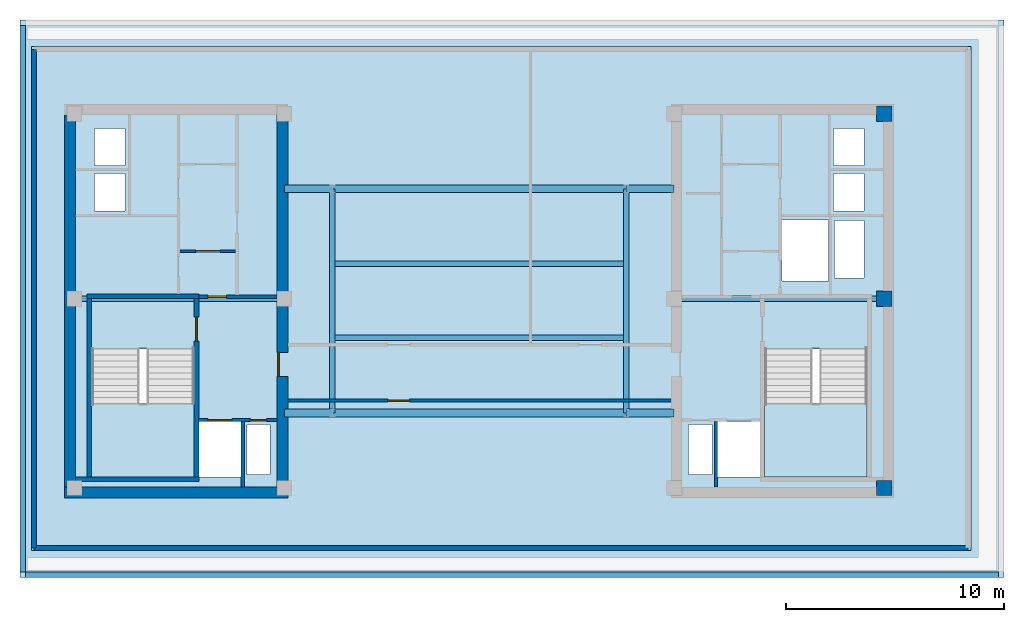
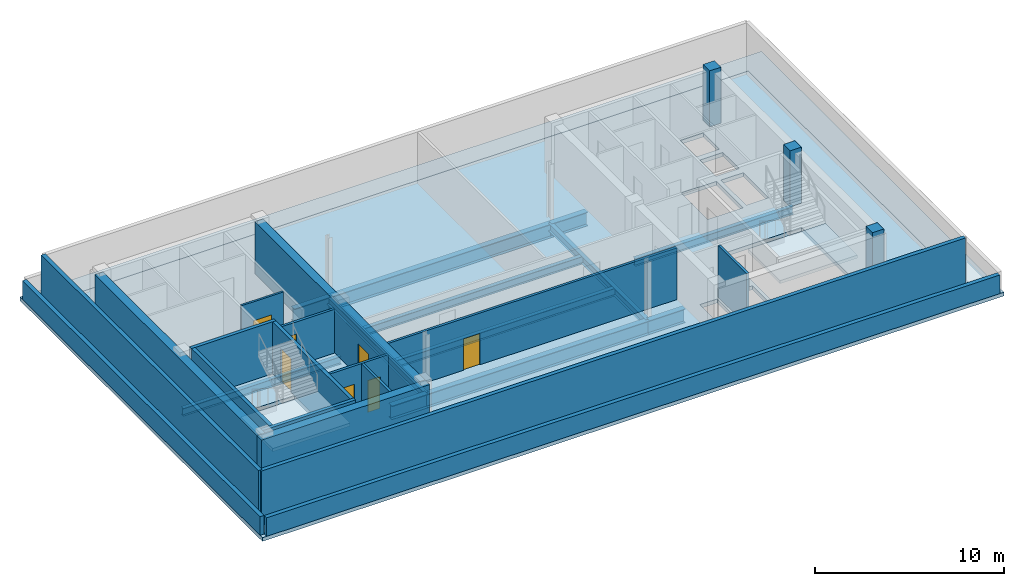
# One storey, part 2 of 7: 17 walls, 12 beams, 7 doors, 4 slabs, 3 columns, 7 openings, 2 elements without a shape of their own.
"""IFC4 building model written with IfcOpenShell, lengths in metres."""

import ifcopenshell
import ifcopenshell.guid

model = None  # the IFC model being written
_history = None  # IfcOwnerHistory: only IFC2X3 demands one
_inside = {}  # id of a spatial element -> (the spatial element, [elements in it])
_under = {}  # id of a project, library or spatial element -> (it, [spatial elements below it])
_declared = {}  # id of a project -> (the project, [libraries it declares])
_typed = {}  # id of a type object -> (the type object, [elements of that type])
_made_of = {}  # id of a material, layer set ... -> (it, [elements and type objects made of it])


def new_model(schema):
    """Start an empty IFC model of exactly this schema.

    Asked for "IFC4X3", IfcOpenShell would pick the latest addendum, in which some entities
    have other attributes; the version numbers below select the first issue.
    IFC2X3 requires an IfcOwnerHistory on every rooted entity: one is made here for all.
    """
    global model, _history
    if schema == "IFC4X3":
        model = ifcopenshell.file(schema_version=(4, 3, 0, 0))
    else:
        model = ifcopenshell.file(schema=schema)
    _inside.clear()
    _under.clear()
    _declared.clear()
    _typed.clear()
    _made_of.clear()
    _history = None
    if model.schema == "IFC2X3":
        org = make("IfcOrganization", Name="unknown")
        user = make(
            "IfcPersonAndOrganization",
            ThePerson=make("IfcPerson", FamilyName="unknown"),
            TheOrganization=org,
        )
        app = make(
            "IfcApplication",
            ApplicationDeveloper=org,
            Version="unknown",
            ApplicationFullName="unknown",
            ApplicationIdentifier="unknown",
        )
        _history = make(
            "IfcOwnerHistory",
            OwningUser=user,
            OwningApplication=app,
            ChangeAction="ADDED",
            CreationDate=0,
        )
    return model


def make(cls, **values):
    """One entity of the class cls with the attributes given. An attribute that is None is left unset."""
    return model.create_entity(
        cls, **{name: value for name, value in values.items() if value is not None}
    )


def rooted(cls, **values):
    """An entity with a GlobalId (a new one), such as an element, a storey or a relation."""
    return make(cls, GlobalId=ifcopenshell.guid.new(), OwnerHistory=_history, **values)


def si_unit(unit_type, name, prefix=None):
    """IfcSIUnit, for example si_unit("LENGTHUNIT", "METRE", prefix="MILLI")."""
    return make("IfcSIUnit", UnitType=unit_type, Prefix=prefix, Name=name)


def assignment(units):
    """IfcUnitAssignment: the units of a project."""
    return None if units is None else make("IfcUnitAssignment", Units=units)


def point(xyz):
    """IfcCartesianPoint."""
    return None if xyz is None else make("IfcCartesianPoint", Coordinates=xyz)


def direction(xyz):
    """IfcDirection."""
    return None if xyz is None else make("IfcDirection", DirectionRatios=xyz)


def frame(location, z_axis=None, x_axis=None):
    """IfcAxis2Placement3D, a coordinate frame: its origin and axes. An axis left out is left unset."""
    return make(
        "IfcAxis2Placement3D",
        Location=point(location),
        Axis=direction(z_axis),
        RefDirection=direction(x_axis),
    )


def frame_2d(location, x_axis=None):
    """IfcAxis2Placement2D, a coordinate frame in the plane: its origin and x axis."""
    return make(
        "IfcAxis2Placement2D", Location=point(location), RefDirection=direction(x_axis)
    )


def origin():
    """The frame at (0, 0, 0) with its axes left unset."""
    return frame((0.0, 0.0, 0.0))


def origin_2d():
    """The frame at (0, 0) in the plane with its x axis left unset."""
    return frame_2d((0.0, 0.0))


def place(relative_to, where):
    """IfcLocalPlacement: puts the frame where relative to a parent placement (None: the world)."""
    return make(
        "IfcLocalPlacement", PlacementRelTo=relative_to, RelativePlacement=where
    )


def context(
    kind, dimensions, precision=None, world=None, true_north=None, identifier=None
):
    """IfcGeometricRepresentationContext, for example the 3D "Model" context."""
    return make(
        "IfcGeometricRepresentationContext",
        ContextIdentifier=identifier,
        ContextType=kind,
        CoordinateSpaceDimension=dimensions,
        Precision=precision,
        WorldCoordinateSystem=world,
        TrueNorth=true_north,
    )


def subcontext(parent, identifier, kind, view, scale=None):
    """IfcGeometricRepresentationSubContext, for example "Body" below "Model"."""
    return make(
        "IfcGeometricRepresentationSubContext",
        ContextIdentifier=identifier,
        ContextType=kind,
        ParentContext=parent,
        TargetScale=scale,
        TargetView=view,
    )


def project(units=None, contexts=None):
    """IfcProject with its units and contexts."""
    return rooted(
        "IfcProject",
        Name="project",
        RepresentationContexts=contexts,
        UnitsInContext=assignment(units),
    )


def spatial(cls, under=None, at=None, **own):
    """A site, building, storey or space (cls), placed at a placement, below another one or the project."""
    s = rooted(cls, ObjectPlacement=at, **own)
    if under is not None:
        _under.setdefault(under.id(), (under, []))[1].append(s)
    return s


def polyline(points):
    """IfcPolyline through the points."""
    return make("IfcPolyline", Points=[point(p) for p in points])


def profile(cls, at=None, kind="AREA", **sizes):
    """A parametric profile (cls). Its sizes go by their IFC names, for example OverallWidth=200.0."""
    return make(cls, ProfileType=kind, Position=at, **sizes)


def rectangle(**sizes):
    """IfcRectangleProfileDef."""
    return profile("IfcRectangleProfileDef", **sizes)


def i_section(**sizes):
    """IfcIShapeProfileDef."""
    return profile("IfcIShapeProfileDef", **sizes)


def outline(outer, holes=None, kind="AREA"):
    """IfcArbitraryClosedProfileDef: a profile drawn as a closed curve; with holes, ...WithVoids."""
    if holes is None:
        return make("IfcArbitraryClosedProfileDef", ProfileType=kind, OuterCurve=outer)
    return make(
        "IfcArbitraryProfileDefWithVoids",
        ProfileType=kind,
        OuterCurve=outer,
        InnerCurves=holes,
    )


def extrude(swept, where, along, depth):
    """IfcExtrudedAreaSolid: the profile swept, set in the frame where, extruded along a direction by depth."""
    return make(
        "IfcExtrudedAreaSolid",
        SweptArea=swept,
        Position=where,
        ExtrudedDirection=direction(along),
        Depth=depth,
    )


def shape(context_of_items, identifier, shape_type, items):
    """IfcShapeRepresentation: the items that make up one representation, for example the "Body"."""
    return make(
        "IfcShapeRepresentation",
        ContextOfItems=context_of_items,
        RepresentationIdentifier=identifier,
        RepresentationType=shape_type,
        Items=items,
    )


def material(Name=None, Category=None):
    """IfcMaterial."""
    return make("IfcMaterial", Name=Name, Category=Category)


def layer(
    of_material, thickness, ventilated=None, Name=None, Category=None, Priority=None
):
    """IfcMaterialLayer: one layer of a wall or slab, of a material (None: an air gap)."""
    return make(
        "IfcMaterialLayer",
        Material=of_material,
        LayerThickness=thickness,
        IsVentilated=ventilated,
        Name=Name,
        Category=Category,
        Priority=Priority,
    )


def layer_set(layers, Name=None):
    """IfcMaterialLayerSet."""
    return make("IfcMaterialLayerSet", MaterialLayers=layers, LayerSetName=Name)


def material_profile(
    of_material, cross_section, Name=None, Category=None, Priority=None
):
    """IfcMaterialProfile: a cross section and its material."""
    return make(
        "IfcMaterialProfile",
        Name=Name,
        Material=of_material,
        Profile=cross_section,
        Priority=Priority,
        Category=Category,
    )


def profile_set(profiles, Name=None, composite=None):
    """IfcMaterialProfileSet."""
    return make(
        "IfcMaterialProfileSet",
        Name=Name,
        MaterialProfiles=profiles,
        CompositeProfile=composite,
    )


def made_of(thing, what):
    """Note that an element or type object is made of a material, layer set ...; save() writes the relation."""
    if what is not None:
        _made_of.setdefault(what.id(), (what, []))[1].append(thing)
    return thing


def type_object(cls, material=None, **own):
    """A type object (cls), such as IfcWallType, which elements share."""
    return made_of(rooted(cls, **own), material)


def element(
    cls,
    number,
    at=None,
    inside=None,
    cuts=None,
    type_object=None,
    material=None,
    context=None,
    identifier="Body",
    shape_type=None,
    held_by="IfcProductDefinitionShape",
    body=None,
    shapes=None,
    **own,
):
    """One element of the class cls, such as IfcWall. Its Tag is "e" and its number.

    at: its placement. inside: the storey or other place that contains it. cuts: it is an
    opening in that element (IfcRelVoidsElement). A single representation is given by context,
    identifier, shape_type and body (its items); several are given by shapes. held_by: the class
    of the entity that holds the representations. save() writes the other relations.
    """
    e = rooted(cls, Tag="e%d" % number, ObjectPlacement=at, **own)
    if body is not None:
        shapes = [shape(context, identifier, shape_type, body)]
    if shapes is not None:
        e.Representation = make(held_by, Representations=shapes)
    if inside is not None:
        _inside.setdefault(inside.id(), (inside, []))[1].append(e)
    if cuts is not None:
        rooted(
            "IfcRelVoidsElement", RelatingBuildingElement=cuts, RelatedOpeningElement=e
        )
    if type_object is not None:
        _typed.setdefault(type_object.id(), (type_object, []))[1].append(e)
    return made_of(e, material)


def fill(opening, filler):
    """IfcRelFillsElement: the door or window that sits in an opening."""
    return rooted(
        "IfcRelFillsElement",
        RelatingOpeningElement=opening,
        RelatedBuildingElement=filler,
    )


def aggregate(whole, parts):
    """IfcRelAggregates: a whole, such as a stair, and the parts it consists of."""
    return rooted("IfcRelAggregates", RelatingObject=whole, RelatedObjects=parts)


def save(model, path):
    """Write the relations noted so far, then the file.

    IfcRelAggregates (storeys below a building ...), IfcRelContainedInSpatialStructure (elements
    in a storey), IfcRelDefinesByType, IfcRelAssociatesMaterial and IfcRelDeclares: one each for
    every whole, place, type object, material and project.
    """
    for whole, parts in _under.values():
        aggregate(whole, parts)
    for where, things in _inside.values():
        rooted(
            "IfcRelContainedInSpatialStructure",
            RelatedElements=things,
            RelatingStructure=where,
        )
    for kind, things in _typed.values():
        rooted("IfcRelDefinesByType", RelatedObjects=things, RelatingType=kind)
    for what, things in _made_of.values():
        rooted("IfcRelAssociatesMaterial", RelatedObjects=things, RelatingMaterial=what)
    for by, libraries in _declared.values():
        rooted("IfcRelDeclares", RelatingContext=by, RelatedDefinitions=libraries)
    model.write(path)


model = new_model("IFC4")

# Units and contexts
model_context = context("Model", 3, precision=1e-05, world=origin(), true_north=direction((0.0, 1.0)))
body_context = subcontext(model_context, "Body", "Model", "MODEL_VIEW")
ifc_project = project(units=[si_unit("LENGTHUNIT", "METRE"), si_unit("AREAUNIT", "SQUARE_METRE"), si_unit("VOLUMEUNIT", "CUBIC_METRE"), si_unit("PLANEANGLEUNIT", "RADIAN"), si_unit("MASSUNIT", "GRAM", prefix="KILO")], contexts=[model_context])

# Site, building, storey
site_placement = place(None, origin())
site = spatial("IfcSite", under=ifc_project, at=site_placement, CompositionType="ELEMENT")
building_placement = place(site_placement, origin())
building = spatial("IfcBuilding", under=site, at=building_placement, Name="Velakula Bourse", CompositionType="ELEMENT")
storey_placement = place(building_placement, frame((0.0, 0.0, 297.75)))
storey = spatial("IfcBuildingStorey", under=building, at=storey_placement, Name="L81", CompositionType="ELEMENT", Elevation=297.75)

# Columns
ifc_material_1 = material(Name="Concrete M50 (fck 50 MPa)", Category="concrete")
ifc_material_profile_1 = material_profile(ifc_material_1, rectangle(XDim=0.699951171875, YDim=0.699951171875, at=origin_2d()), Name="Concrete M50 (fck 50 MPa)")
ifc_profile_set_1 = profile_set([ifc_material_profile_1], Name="Concrete M50 (fck 50 MPa)")
column_type = type_object("IfcColumnType", Name="COL-RC-700", PredefinedType="COLUMN", material=ifc_profile_set_1)
for number, where, z_axis, x_axis, name in (
    (1, (18.60009765625, -8.60009765625, 0.0), (0.0, 0.0, 1.0), (1.0, 0.0, 0.0), "L81 Core Boundary Column 10"),
    (2, (18.60009765625, 0.10009765625, 0.0), (0.0, 0.0, 1.0), (1.0, 0.0, 0.0), "L81 Core Boundary Column 11"),
    (3, (18.60009765625, 8.60009765625, 0.0), (0.0, 0.0, 1.0), (1.0, 0.0, 0.0), "L81 Core Boundary Column 12"),
):
    element("IfcColumn", number, at=place(storey_placement, frame(where, z_axis=z_axis, x_axis=x_axis)), inside=storey, type_object=column_type, Name=name, PredefinedType="COLUMN", context=body_context, shape_type="SweptSolid", body=[
        extrude(rectangle(XDim=0.699951171875, YDim=0.699951171875, at=origin_2d()), origin(), (0.0, 0.0, 1.0), 3.60009765625),
    ])

# Beams
ifc_material_2 = material(Name="Steel IS 2062 Grade 350 (E350)", Category="steel")
ifc_material_profile_2 = material_profile(ifc_material_2, i_section(OverallWidth=0.25, OverallDepth=0.5, WebThickness=0.010009765625, FlangeThickness=0.0146484375, at=origin_2d()), Name="Steel IS 2062 Grade 350 (E350)")
ifc_profile_set_2 = profile_set([ifc_material_profile_2], Name="Steel IS 2062 Grade 350 (E350)")
beam_type_1 = type_object("IfcBeamType", Name="BM-EDG-500", PredefinedType="BEAM", material=ifc_profile_set_2)
for number, where, z_axis, x_axis, name in (
    (4, (-18.60009765625, 0.10009765625, -0.5), (1.0, 0.0, 0.0), (0.0, 1.0, 0.0), "L81 Primary Backbone Girder CRW-M"),
    (5, (8.949951171875, 0.10009765625, -0.5), (1.0, 0.0, 0.0), (0.0, 1.0, 0.0), "L81 Primary Backbone Girder CRE-M"),
):
    element("IfcBeam", number, at=place(storey_placement, frame(where, z_axis=z_axis, x_axis=x_axis)), inside=storey, type_object=beam_type_1, Name=name, PredefinedType="BEAM", context=body_context, shape_type="SweptSolid", body=[
        extrude(i_section(OverallWidth=0.25, OverallDepth=0.5, WebThickness=0.010009765625, FlangeThickness=0.0146484375, at=origin_2d()), origin(), (0.0, 0.0, 1.0), 9.650146484375),
    ])
for number, where, z_axis, x_axis, name in (
    (6, (-6.75, -5.14990234375, -0.5), (0.0, 1.0, 0.0), (-1.0, 0.0, 0.0), "L81 Primary Backbone Girder SPN-W"),
    (7, (6.75, -5.14990234375, -0.5), (0.0, 1.0, 0.0), (-1.0, 0.0, 0.0), "L81 Primary Backbone Girder SPN-E"),
):
    element("IfcBeam", number, at=place(storey_placement, frame(where, z_axis=z_axis, x_axis=x_axis)), inside=storey, type_object=beam_type_1, Name=name, PredefinedType="BEAM", context=body_context, shape_type="SweptSolid", body=[
        extrude(i_section(OverallWidth=0.25, OverallDepth=0.5, WebThickness=0.010009765625, FlangeThickness=0.0146484375, at=origin_2d()), origin(), (0.0, 0.0, 1.0), 10.2998046875),
    ])
for number, where, z_axis, x_axis, name in (
    (8, (-6.75, -1.699951171875, -0.5), (1.0, 0.0, 0.0), (0.0, 1.0, 0.0), "L81 Crown Mechanical Floor Girder 1"),
    (9, (-6.75, 1.699951171875, -0.5), (1.0, 0.0, 0.0), (0.0, 1.0, 0.0), "L81 Crown Mechanical Floor Girder 2"),
):
    element("IfcBeam", number, at=place(storey_placement, frame(where, z_axis=z_axis, x_axis=x_axis)), inside=storey, type_object=beam_type_1, Name=name, PredefinedType="BEAM", context=body_context, shape_type="SweptSolid", body=[
        extrude(i_section(OverallWidth=0.25, OverallDepth=0.5, WebThickness=0.010009765625, FlangeThickness=0.0146484375, at=origin_2d()), origin(), (0.0, 0.0, 1.0), 13.5),
    ])
ifc_material_profile_3 = material_profile(ifc_material_2, i_section(OverallWidth=0.35009765625, OverallDepth=0.89990234375, WebThickness=0.02001953125, FlangeThickness=0.031982421875, at=origin_2d()), Name="Steel IS 2062 Grade 350 (E350)")
ifc_profile_set_3 = profile_set([ifc_material_profile_3], Name="Steel IS 2062 Grade 350 (E350)")
beam_type_2 = type_object("IfcBeamType", Name="BM-LNK-900", PredefinedType="BEAM", material=ifc_profile_set_3)
beam_1_placement = place(storey_placement, frame((-8.949951171875, -5.14990234375, -0.699951171875), z_axis=(1.0, 0.0, 0.0), x_axis=(0.0, 1.0, 0.0)))
element("IfcBeam", 10, at=beam_1_placement, inside=storey, type_object=beam_type_2, Name="L81 Primary Backbone Girder LNK-S1", PredefinedType="BEAM", context=body_context, shape_type="SweptSolid", body=[
    extrude(i_section(OverallWidth=0.35009765625, OverallDepth=0.89990234375, WebThickness=0.02001953125, FlangeThickness=0.031982421875, at=origin_2d()), origin(), (0.0, 0.0, 1.0), 2.199951171875),
])
beam_2_placement = place(storey_placement, frame((-6.75, -5.14990234375, -0.699951171875), z_axis=(1.0, 0.0, 0.0), x_axis=(0.0, 1.0, 0.0)))
element("IfcBeam", 11, at=beam_2_placement, inside=storey, type_object=beam_type_2, Name="L81 Primary Backbone Girder LNK-S2", PredefinedType="BEAM", context=body_context, shape_type="SweptSolid", body=[
    extrude(i_section(OverallWidth=0.35009765625, OverallDepth=0.89990234375, WebThickness=0.02001953125, FlangeThickness=0.031982421875, at=origin_2d()), origin(), (0.0, 0.0, 1.0), 13.5),
])
for number, where, z_axis, x_axis, name in (
    (12, (6.75, -5.14990234375, -0.699951171875), (1.0, 0.0, 0.0), (0.0, 1.0, 0.0), "L81 Primary Backbone Girder LNK-S3"),
    (13, (-8.949951171875, 5.14990234375, -0.699951171875), (1.0, 0.0, 0.0), (0.0, 1.0, 0.0), "L81 Primary Backbone Girder LNK-N1"),
):
    element("IfcBeam", number, at=place(storey_placement, frame(where, z_axis=z_axis, x_axis=x_axis)), inside=storey, type_object=beam_type_2, Name=name, PredefinedType="BEAM", context=body_context, shape_type="SweptSolid", body=[
        extrude(i_section(OverallWidth=0.35009765625, OverallDepth=0.89990234375, WebThickness=0.02001953125, FlangeThickness=0.031982421875, at=origin_2d()), origin(), (0.0, 0.0, 1.0), 2.199951171875),
    ])
beam_3_placement = place(storey_placement, frame((-6.75, 5.14990234375, -0.699951171875), z_axis=(1.0, 0.0, 0.0), x_axis=(0.0, 1.0, 0.0)))
element("IfcBeam", 14, at=beam_3_placement, inside=storey, type_object=beam_type_2, Name="L81 Primary Backbone Girder LNK-N2", PredefinedType="BEAM", context=body_context, shape_type="SweptSolid", body=[
    extrude(i_section(OverallWidth=0.35009765625, OverallDepth=0.89990234375, WebThickness=0.02001953125, FlangeThickness=0.031982421875, at=origin_2d()), origin(), (0.0, 0.0, 1.0), 13.5),
])
beam_4_placement = place(storey_placement, frame((6.75, 5.14990234375, -0.699951171875), z_axis=(1.0, 0.0, 0.0), x_axis=(0.0, 1.0, 0.0)))
element("IfcBeam", 15, at=beam_4_placement, inside=storey, type_object=beam_type_2, Name="L81 Primary Backbone Girder LNK-N3", PredefinedType="BEAM", context=body_context, shape_type="SweptSolid", body=[
    extrude(i_section(OverallWidth=0.35009765625, OverallDepth=0.89990234375, WebThickness=0.02001953125, FlangeThickness=0.031982421875, at=origin_2d()), origin(), (0.0, 0.0, 1.0), 2.199951171875),
])

# Slabs
ifc_layer_1 = layer(ifc_material_1, 0.239990234375, Name="Concrete M50 (fck 50 MPa)", Category="concrete")
ifc_layer_set_1 = layer_set([ifc_layer_1], Name="Concrete M50 (fck 50 MPa)")
slab_type_1 = type_object("IfcSlabType", Name="SLB-CRN-ROOF-240", PredefinedType="ROOF", material=ifc_layer_set_1)
slab_1_placement = place(storey_placement, frame((0.0, 0.0, -0.239990234375)))
element("IfcSlab", 16, at=slab_1_placement, inside=storey, type_object=slab_type_1, Name="L81 Crown Step 4 Closed Roof", PredefinedType="ROOF", context=body_context, shape_type="SweptSolid", body=[
    extrude(outline(polyline([(-21.10009765625, 12.89990234375), (24.10009765625, 12.89990234375), (24.10009765625, -12.699951171875), (-21.10009765625, -12.699951171875), (-21.10009765625, 12.89990234375)]), holes=[polyline([(22.580078125, -11.47998046875), (22.580078125, 11.679931640625), (-20.580078125, 11.679931640625), (-20.580078125, -11.47998046875), (22.580078125, -11.47998046875)])]), origin(), (0.0, 0.0, 1.0), 0.239990234375),
])
ifc_layer_2 = layer(ifc_material_1, 0.25, Name="Concrete M50 (fck 50 MPa)", Category="concrete")
ifc_layer_set_2 = layer_set([ifc_layer_2], Name="Concrete M50 (fck 50 MPa)")
slab_type_2 = type_object("IfcSlabType", Name="SLB-POD-250", PredefinedType="FLOOR", material=ifc_layer_set_2)
slab_2_placement = place(storey_placement, frame((0.0, 0.0, -0.25)))
element("IfcSlab", 17, at=slab_2_placement, inside=storey, type_object=slab_type_2, Name="L81 Suspended Structural Floor Slab", PredefinedType="FLOOR", context=body_context, shape_type="SweptSolid", body=[
    extrude(outline(polyline([(-20.60009765625, -11.5), (22.60009765625, -11.5), (22.60009765625, 11.699951171875), (-20.60009765625, 11.699951171875), (-20.60009765625, -11.5)]), holes=[polyline([(-17.820068359375, -8.10009765625), (-13.10009765625, -8.10009765625), (-13.10009765625, -2.199951171875), (-17.820068359375, -2.199951171875), (-17.820068359375, -8.10009765625)]), polyline([(13.10009765625, -8.10009765625), (17.820068359375, -8.10009765625), (17.820068359375, -2.199951171875), (13.10009765625, -2.199951171875), (13.10009765625, -8.10009765625)]), polyline([(-12.89990234375, -8.10009765625), (-10.949951171875, -8.10009765625), (-10.949951171875, -5.550048828125), (-12.89990234375, -5.550048828125), (-12.89990234375, -8.10009765625)]), polyline([(10.949951171875, -8.10009765625), (12.89990234375, -8.10009765625), (12.89990234375, -5.550048828125), (10.949951171875, -5.550048828125), (10.949951171875, -8.10009765625)]), polyline([(13.89990234375, 0.919921875), (16.050048828125, 0.919921875), (16.050048828125, 3.719970703125), (13.89990234375, 3.719970703125), (13.89990234375, 0.919921875)]), polyline([(-10.679931640625, -7.97998046875), (-9.6201171875, -7.97998046875), (-9.6201171875, -5.669921875), (-10.679931640625, -5.669921875), (-10.679931640625, -7.97998046875)]), polyline([(-17.679931640625, 4.139892578125), (-16.27001953125, 4.139892578125), (-16.27001953125, 5.85009765625), (-17.679931640625, 5.85009765625), (-17.679931640625, 4.139892578125)]), polyline([(-17.679931640625, 6.2099609375), (-16.27001953125, 6.2099609375), (-16.27001953125, 7.919921875), (-17.679931640625, 7.919921875), (-17.679931640625, 6.2099609375)]), polyline([(9.6201171875, -7.97998046875), (10.679931640625, -7.97998046875), (10.679931640625, -5.669921875), (9.6201171875, -5.669921875), (9.6201171875, -7.97998046875)]), polyline([(16.27001953125, 4.139892578125), (17.679931640625, 4.139892578125), (17.679931640625, 5.85009765625), (16.27001953125, 5.85009765625), (16.27001953125, 4.139892578125)]), polyline([(16.27001953125, 6.2099609375), (17.679931640625, 6.2099609375), (17.679931640625, 7.919921875), (16.27001953125, 7.919921875), (16.27001953125, 6.2099609375)]), polyline([(16.320068359375, 1.0400390625), (17.679931640625, 1.0400390625), (17.679931640625, 3.699951171875), (16.320068359375, 3.699951171875), (16.320068359375, 1.0400390625)])]), origin(), (0.0, 0.0, 1.0), 0.25),
])

# Stair, slab
ifc_material_3 = material(Name="Concrete M45 (fck 45 MPa)", Category="concrete")
stair_type = type_object("IfcStairType", Name="STR-DOG-390", PredefinedType="HALF_TURN_STAIR", material=ifc_material_3)
stair_1_placement = place(storey_placement, origin())
stair_1 = element("IfcStair", 18, at=stair_1_placement, inside=storey, type_object=stair_type, Name="L81 West Core Exit Stair ST-W1", PredefinedType="HALF_TURN_STAIR")
ifc_layer_3 = layer(ifc_material_3, 0.199951171875, Name="Concrete M45 (fck 45 MPa)", Category="concrete")
ifc_layer_set_3 = layer_set([ifc_layer_3], Name="Concrete M45 (fck 45 MPa)")
slab_type_3 = type_object("IfcSlabType", Name="SLB-STAIR-LND-200", PredefinedType="LANDING", material=ifc_layer_set_3)
slab_3_placement = place(storey_placement, frame((0.0, 0.0, 1.60009765625)))
slab_3 = element("IfcSlab", 19, at=slab_3_placement, type_object=slab_type_3, Name="ST-W1 landing 1", PredefinedType="LANDING", context=body_context, shape_type="SweptSolid", body=[
    extrude(outline(polyline([(-17.820068359375, -4.719970703125), (-17.820068359375, -8.10009765625), (-13.10009765625, -8.10009765625), (-13.10009765625, -4.719970703125), (-17.820068359375, -4.719970703125)])), origin(), (0.0, 0.0, 1.0), 0.199951171875),
])
aggregate(stair_1, [slab_3])

stair_2_placement = place(storey_placement, origin())
stair_2 = element("IfcStair", 20, at=stair_2_placement, inside=storey, type_object=stair_type, Name="L81 East Core Exit Stair ST-E1", PredefinedType="HALF_TURN_STAIR")
slab_4_placement = place(storey_placement, frame((0.0, 0.0, 1.60009765625)))
slab_4 = element("IfcSlab", 21, at=slab_4_placement, type_object=slab_type_3, Name="ST-E1 landing 1", PredefinedType="LANDING", context=body_context, shape_type="SweptSolid", body=[
    extrude(outline(polyline([(13.10009765625, -4.719970703125), (13.10009765625, -8.10009765625), (17.820068359375, -8.10009765625), (17.820068359375, -4.719970703125), (13.10009765625, -4.719970703125)])), origin(), (0.0, 0.0, 1.0), 0.199951171875),
])
aggregate(stair_2, [slab_4])

# Wall, opening, door
ifc_layer_4 = layer(ifc_material_1, 0.2099609375, Name="Concrete M50 (fck 50 MPa)", Category="concrete")
ifc_layer_set_4 = layer_set([ifc_layer_4], Name="Concrete M50 (fck 50 MPa)")
wall_type_1 = type_object("IfcWallType", Name="WL-CORE-210", PredefinedType="SHEAR", material=ifc_layer_set_4)
wall_1_placement = place(storey_placement, frame((-12.9951171875, -8.10009765625, 0.0), z_axis=(0.0, 0.0, 1.0), x_axis=(0.0, 1.0, 0.0)))
wall_1 = element("IfcWall", 22, at=wall_1_placement, inside=storey, type_object=wall_type_1, Name="L81 Core W Stairwell Shear Wall IN", PredefinedType="SHEAR", context=body_context, shape_type="SweptSolid", body=[
    extrude(rectangle(XDim=8.2001953125, YDim=0.2099609375, at=frame_2d((4.10009765625, 0.0))), origin(), (0.0, 0.0, 1.0), 3.35009765625),
])
opening_1_placement = place(wall_1_placement, frame((6.25, 0.0, 0.0)))
opening_1 = element("IfcOpeningElement", 23, at=opening_1_placement, cuts=wall_1, Name="Opening D-STW1", PredefinedType="OPENING", context=body_context, shape_type="SweptSolid", body=[
    extrude(rectangle(XDim=1.10009765625, YDim=2.14990234375, at=frame_2d((0.550048828125, 1.074951171875))), frame((0.0, 0.114990234375, 0.0), z_axis=(0.0, -1.0, 0.0), x_axis=(1.0, 0.0, 0.0)), (0.0, 0.0, 1.0), 0.22998046875),
])
ifc_material_4 = material(Name="Galvanised painted hollow steel fire door", Category="steel")
door_type_1 = type_object("IfcDoorType", Name="DR-FD120-1100x2150", OperationType="NOTDEFINED", PredefinedType="DOOR", material=ifc_material_4)
door_1_placement = place(opening_1_placement, origin())
door_1 = element("IfcDoor", 24, at=door_1_placement, inside=storey, type_object=door_type_1, Name="L81 Stair ST-W1 Fire Door", OperationType="SINGLE_SWING_LEFT", OverallHeight=2.14990234375, OverallWidth=1.10009765625, PredefinedType="DOOR", context=body_context, shape_type="SweptSolid", body=[
    extrude(rectangle(XDim=1.10009765625, YDim=2.14990234375, at=frame_2d((0.550048828125, 1.074951171875))), frame((0.0, 0.02490234375, 0.0), z_axis=(0.0, -1.0, 0.0), x_axis=(1.0, 0.0, 0.0)), (0.0, 0.0, 1.0), 0.050048828125),
])
fill(opening_1, door_1)

# Walls
wall_2_placement = place(storey_placement, frame((-17.925048828125, -8.10009765625, 0.0), z_axis=(0.0, 0.0, 1.0), x_axis=(0.0, 1.0, 0.0)))
element("IfcWall", 25, at=wall_2_placement, inside=storey, type_object=wall_type_1, Name="L81 Core W Stairwell Shear Wall OUT", PredefinedType="SHEAR", context=body_context, shape_type="SweptSolid", body=[
    extrude(rectangle(XDim=8.2001953125, YDim=0.2099609375, at=frame_2d((4.10009765625, 0.0))), origin(), (0.0, 0.0, 1.0), 3.35009765625),
])
wall_3_placement = place(storey_placement, frame((-18.550048828125, -8.205078125, 0.0), z_axis=(0.0, 0.0, 1.0), x_axis=(1.0, 0.0, 0.0)))
element("IfcWall", 26, at=wall_3_placement, inside=storey, type_object=wall_type_1, Name="L81 Core W Stairwell Shear Wall S", PredefinedType="SHEAR", context=body_context, shape_type="SweptSolid", body=[
    extrude(rectangle(XDim=5.66015625, YDim=0.2099609375, at=frame_2d((2.830078125, 0.0))), origin(), (0.0, 0.0, 1.0), 3.35009765625),
])
wall_4_placement = place(storey_placement, frame((-12.889892578125, 0.205078125, 0.0), z_axis=(0.0, 0.0, 1.0), x_axis=(-1.0, 0.0, 0.0)))
element("IfcWall", 27, at=wall_4_placement, inside=storey, type_object=wall_type_1, Name="L81 Core W Stairwell Shear Wall N", PredefinedType="SHEAR", context=body_context, shape_type="SweptSolid", body=[
    extrude(rectangle(XDim=5.14013671875, YDim=0.2099609375, at=frame_2d((2.570068359375, 0.0))), origin(), (0.0, 0.0, 1.0), 3.35009765625),
])
ifc_layer_5 = layer(ifc_material_1, 0.5, Name="Concrete M50 (fck 50 MPa)", Category="concrete")
ifc_layer_set_5 = layer_set([ifc_layer_5], Name="Concrete M50 (fck 50 MPa)")
wall_type_2 = type_object("IfcWallType", Name="WL-CORE-500", PredefinedType="SHEAR", material=ifc_layer_set_5)
wall_5_placement = place(storey_placement, frame((-19.050048828125, -8.800048828125, 0.0), z_axis=(0.0, 0.0, 1.0), x_axis=(1.0, 0.0, 0.0)))
element("IfcWall", 28, at=wall_5_placement, inside=storey, type_object=wall_type_2, Name="L81 Core W Shear Wall S", PredefinedType="SHEAR", context=body_context, shape_type="SweptSolid", body=[
    extrude(rectangle(XDim=10.25, YDim=0.5, at=frame_2d((5.125, 0.0))), origin(), (0.0, 0.0, 1.0), 3.35009765625),
])
wall_6_placement = place(storey_placement, frame((-18.800048828125, -8.550048828125, 0.0), z_axis=(0.0, 0.0, 1.0), x_axis=(0.0, 1.0, 0.0)))
element("IfcWall", 29, at=wall_6_placement, inside=storey, type_object=wall_type_2, Name="L81 Core W Shear Wall W", PredefinedType="SHEAR", context=body_context, shape_type="SweptSolid", body=[
    extrude(rectangle(XDim=17.10009765625, YDim=0.5, at=frame_2d((8.550048828125, 0.0))), origin(), (0.0, 0.0, 1.0), 3.35009765625),
])

# Wall, opening, door
wall_7_placement = place(storey_placement, frame((-9.050048828125, -8.550048828125, 0.0), z_axis=(0.0, 0.0, 1.0), x_axis=(0.0, 1.0, 0.0)))
wall_7 = element("IfcWall", 30, at=wall_7_placement, inside=storey, type_object=wall_type_2, Name="L81 Core W Shear Wall E", PredefinedType="SHEAR", context=body_context, shape_type="SweptSolid", body=[
    extrude(rectangle(XDim=17.10009765625, YDim=0.5, at=frame_2d((8.550048828125, 0.0))), origin(), (0.0, 0.0, 1.0), 3.35009765625),
])
opening_2_placement = place(wall_7_placement, frame((5.080078125, 0.0, 0.0)))
opening_2 = element("IfcOpeningElement", 31, at=opening_2_placement, cuts=wall_7, Name="Opening D-FLW", PredefinedType="OPENING", context=body_context, shape_type="SweptSolid", body=[
    extrude(rectangle(XDim=1.10009765625, YDim=2.080078125, at=frame_2d((0.550048828125, 1.0400390625))), frame((0.0, 0.260009765625, 0.0), z_axis=(0.0, -1.0, 0.0), x_axis=(1.0, 0.0, 0.0)), (0.0, 0.0, 1.0), 0.52001953125),
])
door_type_2 = type_object("IfcDoorType", Name="DR-FD120-1100", OperationType="NOTDEFINED", PredefinedType="DOOR", material=ifc_material_4)
door_2_placement = place(opening_2_placement, origin())
door_2 = element("IfcDoor", 32, at=door_2_placement, inside=storey, type_object=door_type_2, Name="L81 Firefighting Lobby W Corridor Fire Door", OperationType="SINGLE_SWING_LEFT", OverallHeight=2.080078125, OverallWidth=1.10009765625, PredefinedType="DOOR", context=body_context, shape_type="SweptSolid", body=[
    extrude(rectangle(XDim=1.10009765625, YDim=2.080078125, at=frame_2d((0.550048828125, 1.0400390625))), frame((0.0, 0.205078125, 0.0), z_axis=(0.0, -1.0, 0.0), x_axis=(1.0, 0.0, 0.0)), (0.0, 0.0, 1.0), 0.050048828125),
])
fill(opening_2, door_2)

# Walls
ifc_material_5 = material(Name="Buff kilned clay facing brick masonry", Category="masonry")
ifc_layer_6 = layer(ifc_material_5, 0.239990234375, Name="Buff kilned clay facing brick masonry", Category="masonry")
ifc_layer_set_6 = layer_set([ifc_layer_6], Name="Buff kilned clay facing brick masonry")
wall_type_3 = type_object("IfcWallType", Name="WL-EXT-CRN-240", PredefinedType="STANDARD", material=ifc_layer_set_6)
wall_8_placement = place(storey_placement, frame((-20.4599609375, -11.360107421875, 0.0), z_axis=(0.0, 0.0, 1.0), x_axis=(1.0, 0.0, 0.0)))
element("IfcWall", 33, at=wall_8_placement, inside=storey, type_object=wall_type_3, Name="L81 Crown Brick Acoustic Wall S", PredefinedType="STANDARD", context=body_context, shape_type="SweptSolid", body=[
    extrude(rectangle(XDim=42.919921875, YDim=0.239990234375, at=frame_2d((21.4599609375, 0.0))), origin(), (0.0, 0.0, 1.0), 3.330078125),
])
wall_9_placement = place(storey_placement, frame((-20.4599609375, 11.56005859375, 0.0), z_axis=(0.0, 0.0, 1.0), x_axis=(0.0, -1.0, 0.0)))
element("IfcWall", 34, at=wall_9_placement, inside=storey, type_object=wall_type_3, Name="L81 Crown Brick Acoustic Wall W", PredefinedType="STANDARD", context=body_context, shape_type="SweptSolid", body=[
    extrude(rectangle(XDim=22.920166015625, YDim=0.239990234375, at=frame_2d((11.4599609375, 0.0))), origin(), (0.0, 0.0, 1.0), 3.330078125),
])
ifc_layer_7 = layer(ifc_material_5, 0.25, Name="Buff kilned clay facing brick masonry", Category="masonry")
ifc_layer_set_7 = layer_set([ifc_layer_7], Name="Buff kilned clay facing brick masonry")
wall_type_4 = type_object("IfcWallType", Name="WL-PAR-ROOF-250", PredefinedType="PARAPET", material=ifc_layer_set_7)
wall_10_placement = place(storey_placement, frame((23.85009765625, -12.580078125, 0.0), z_axis=(0.0, 0.0, 1.0), x_axis=(-1.0, 0.0, 0.0)))
element("IfcWall", 35, at=wall_10_placement, inside=storey, type_object=wall_type_4, Name="L81 Closed Roof Perimeter Parapet 3", PredefinedType="PARAPET", context=body_context, shape_type="SweptSolid", body=[
    extrude(rectangle(XDim=44.7001953125, YDim=0.25, at=frame_2d((22.35009765625, 0.0))), origin(), (0.0, 0.0, 1.0), 1.199951171875),
])
wall_11_placement = place(storey_placement, frame((-20.97998046875, -12.449951171875, 0.0), z_axis=(0.0, 0.0, 1.0), x_axis=(0.0, 1.0, 0.0)))
element("IfcWall", 36, at=wall_11_placement, inside=storey, type_object=wall_type_4, Name="L81 Closed Roof Perimeter Parapet 4", PredefinedType="PARAPET", context=body_context, shape_type="SweptSolid", body=[
    extrude(rectangle(XDim=25.099853515625, YDim=0.25, at=frame_2d((12.5498046875, 0.0))), origin(), (0.0, 0.0, 1.0), 1.199951171875),
])

# Wall, opening, door
ifc_material_6 = material(Name="Fire-rated double-layer gypsum drywall partition", Category="gypsum")
ifc_layer_8 = layer(ifc_material_6, 0.1201171875, Name="Fire-rated double-layer gypsum drywall partition", Category="gypsum")
ifc_layer_set_8 = layer_set([ifc_layer_8], Name="Fire-rated double-layer gypsum drywall partition")
wall_type_5 = type_object("IfcWallType", Name="WL-PART-120", PredefinedType="STANDARD", material=ifc_layer_set_8)
wall_12_placement = place(storey_placement, frame((-13.75, 2.280029296875, 0.0), z_axis=(0.0, 0.0, 1.0), x_axis=(1.0, 0.0, 0.0)))
wall_12 = element("IfcWall", 37, at=wall_12_placement, inside=storey, type_object=wall_type_5, Name="L81 Interior Partition WL-CRW-L81-LL-K3A", PredefinedType="STANDARD", context=body_context, shape_type="SweptSolid", body=[
    extrude(rectangle(XDim=2.550048828125, YDim=0.1201171875, at=frame_2d((1.27490234375, 0.0))), origin(), (0.0, 0.0, 1.0), 3.330078125),
])
opening_3_placement = place(wall_12_placement, frame((0.72509765625, 0.0, 0.0)))
opening_3 = element("IfcOpeningElement", 38, at=opening_3_placement, cuts=wall_12, Name="Opening D-LK3", PredefinedType="OPENING", context=body_context, shape_type="SweptSolid", body=[
    extrude(rectangle(XDim=1.10009765625, YDim=2.10009765625, at=frame_2d((0.550048828125, 1.050048828125))), frame((0.0, 0.070068359375, 0.0), z_axis=(0.0, -1.0, 0.0), x_axis=(1.0, 0.0, 0.0)), (0.0, 0.0, 1.0), 0.14013671875),
])
ifc_material_7 = material(Name="Fire-rated hardwood flush architectural door", Category="wood")
door_type_3 = type_object("IfcDoorType", Name="DR-FD60-1100x2100", OperationType="NOTDEFINED", PredefinedType="DOOR", material=ifc_material_7)
door_3_placement = place(opening_3_placement, origin())
door_3 = element("IfcDoor", 39, at=door_3_placement, inside=storey, type_object=door_type_3, Name="L81 Core W Lift Lobby Vestibule Door A", OperationType="SINGLE_SWING_RIGHT", OverallHeight=2.10009765625, OverallWidth=1.10009765625, PredefinedType="DOOR", context=body_context, shape_type="SweptSolid", body=[
    extrude(rectangle(XDim=1.10009765625, YDim=2.10009765625, at=frame_2d((0.550048828125, 1.050048828125))), frame((0.0, 0.02490234375, 0.0), z_axis=(0.0, -1.0, 0.0), x_axis=(1.0, 0.0, 0.0)), (0.0, 0.0, 1.0), 0.050048828125),
])
fill(opening_3, door_3)

# Wall, openings, doors
ifc_material_8 = material(Name="Autoclaved aerated concrete blockwork masonry", Category="masonry")
ifc_layer_9 = layer(ifc_material_8, 0.14990234375, Name="Autoclaved aerated concrete blockwork masonry", Category="masonry")
ifc_layer_set_9 = layer_set([ifc_layer_9], Name="Autoclaved aerated concrete blockwork masonry")
wall_type_6 = type_object("IfcWallType", Name="WL-SHAFT-150", PredefinedType="STANDARD", material=ifc_layer_set_9)
wall_13_placement = place(storey_placement, frame((-12.89501953125, -5.47509765625, 0.0), z_axis=(0.0, 0.0, 1.0), x_axis=(1.0, 0.0, 0.0)))
wall_13 = element("IfcWall", 40, at=wall_13_placement, inside=storey, type_object=wall_type_6, Name="L81 Interior Partition WL-CRW-L81-FFL-N", PredefinedType="STANDARD", context=body_context, shape_type="SweptSolid", body=[
    extrude(rectangle(XDim=3.594970703125, YDim=0.14990234375, at=frame_2d((1.79736328125, 0.0))), origin(), (0.0, 0.0, 1.0), 3.330078125),
])
opening_4_placement = place(wall_13_placement, frame((0.419921875, 0.0, 0.0)))
opening_4 = element("IfcOpeningElement", 41, at=opening_4_placement, cuts=wall_13, Name="Opening LD-FFL-1", PredefinedType="OPENING", context=body_context, shape_type="SweptSolid", body=[
    extrude(rectangle(XDim=1.10009765625, YDim=2.14990234375, at=frame_2d((0.550048828125, 1.074951171875))), frame((0.0, 0.0849609375, 0.0), z_axis=(0.0, -1.0, 0.0), x_axis=(1.0, 0.0, 0.0)), (0.0, 0.0, 1.0), 0.169921875),
])
opening_5_placement = place(wall_13_placement, frame((2.3701171875, 0.0, 0.0)))
opening_5 = element("IfcOpeningElement", 42, at=opening_5_placement, cuts=wall_13, Name="Opening D-RS1", PredefinedType="OPENING", context=body_context, shape_type="SweptSolid", body=[
    extrude(rectangle(XDim=0.75, YDim=2.050048828125, at=frame_2d((0.375, 1.02490234375))), frame((0.0, 0.0849609375, 0.0), z_axis=(0.0, -1.0, 0.0), x_axis=(1.0, 0.0, 0.0)), (0.0, 0.0, 1.0), 0.169921875),
])
door_type_4 = type_object("IfcDoorType", Name="DR-RISER-800", OperationType="NOTDEFINED", PredefinedType="DOOR", material=ifc_material_4)
door_4_placement = place(opening_5_placement, origin())
door_4 = element("IfcDoor", 43, at=door_4_placement, inside=storey, type_object=door_type_4, Name="L81 Fire Riser Access Door", OperationType="SINGLE_SWING_RIGHT", OverallHeight=2.050048828125, OverallWidth=0.75, PredefinedType="DOOR", context=body_context, shape_type="SweptSolid", body=[
    extrude(rectangle(XDim=0.75, YDim=2.050048828125, at=frame_2d((0.375, 1.02490234375))), frame((0.0, 0.02490234375, 0.0), z_axis=(0.0, -1.0, 0.0), x_axis=(1.0, 0.0, 0.0)), (0.0, 0.0, 1.0), 0.050048828125),
])
fill(opening_5, door_4)
ifc_material_9 = material(Name="Brushed grade 316 stainless steel", Category="steel")
door_type_5 = type_object("IfcDoorType", Name="DR-SLIDE-FFL-1100", OperationType="DOUBLE_DOOR_SLIDING", PredefinedType="DOOR", material=ifc_material_9)
door_5_placement = place(opening_4_placement, origin())
door_5 = element("IfcDoor", 44, at=door_5_placement, inside=storey, type_object=door_type_5, Name="L81 Firefighting Lift FFL-1 Sliding Landing Door", OperationType="DOUBLE_DOOR_SLIDING", OverallHeight=2.14990234375, OverallWidth=1.10009765625, PredefinedType="DOOR", context=body_context, shape_type="SweptSolid", body=[
    extrude(rectangle(XDim=1.10009765625, YDim=2.14990234375, at=frame_2d((0.550048828125, 1.074951171875))), frame((0.0, 0.02490234375, 0.0), z_axis=(0.0, -1.0, 0.0), x_axis=(1.0, 0.0, 0.0)), (0.0, 0.0, 1.0), 0.050048828125),
])
fill(opening_4, door_5)

# Wall
wall_14_placement = place(storey_placement, frame((-10.875, -8.550048828125, 0.0), z_axis=(0.0, 0.0, 1.0), x_axis=(0.0, 1.0, 0.0)))
element("IfcWall", 45, at=wall_14_placement, inside=storey, type_object=wall_type_6, Name="L81 Interior Partition WL-CRW-L81-FR-DIV", PredefinedType="STANDARD", context=body_context, shape_type="SweptSolid", body=[
    extrude(rectangle(XDim=3.0, YDim=0.14990234375, at=frame_2d((1.5, 0.0))), origin(), (0.0, 0.0, 1.0), 3.330078125),
])

# Wall, opening, door
wall_15_placement = place(storey_placement, frame((-12.889892578125, 0.18994140625, 0.0), z_axis=(0.0, 0.0, 1.0), x_axis=(1.0, 0.0, 0.0)))
wall_15 = element("IfcWall", 46, at=wall_15_placement, inside=storey, type_object=wall_type_6, Name="L81 Interior Partition WL-CRW-L81-FF-TOP", PredefinedType="STANDARD", context=body_context, shape_type="SweptSolid", body=[
    extrude(rectangle(XDim=3.58984375, YDim=0.14990234375, at=frame_2d((1.794921875, 0.0))), origin(), (0.0, 0.0, 1.0), 2.824951171875),
])
opening_6_placement = place(wall_15_placement, frame((0.4150390625, 0.0, 0.0)))
opening_6 = element("IfcOpeningElement", 47, at=opening_6_placement, cuts=wall_15, Name="Opening D-FC1", PredefinedType="OPENING", context=body_context, shape_type="SweptSolid", body=[
    extrude(rectangle(XDim=0.85009765625, YDim=2.0400390625, at=frame_2d((0.425048828125, 1.02001953125))), frame((0.0, 0.0849609375, 0.0), z_axis=(0.0, -1.0, 0.0), x_axis=(1.0, 0.0, 0.0)), (0.0, 0.0, 1.0), 0.169921875),
])
door_type_6 = type_object("IfcDoorType", Name="DR-FD120-850", OperationType="NOTDEFINED", PredefinedType="DOOR", material=ifc_material_4)
door_6_placement = place(opening_6_placement, origin())
door_6 = element("IfcDoor", 48, at=door_6_placement, inside=storey, type_object=door_type_6, Name="L81 Firefighting Lobby Link Fire Door", OperationType="SINGLE_SWING_RIGHT", OverallHeight=2.0400390625, OverallWidth=0.85009765625, PredefinedType="DOOR", context=body_context, shape_type="SweptSolid", body=[
    extrude(rectangle(XDim=0.85009765625, YDim=2.0400390625, at=frame_2d((0.425048828125, 1.02001953125))), frame((0.0, 0.02490234375, 0.0), z_axis=(0.0, -1.0, 0.0), x_axis=(1.0, 0.0, 0.0)), (0.0, 0.0, 1.0), 0.050048828125),
])
fill(opening_6, door_6)

# Wall
wall_16_placement = place(storey_placement, frame((10.875, -8.550048828125, 0.0), z_axis=(0.0, 0.0, 1.0), x_axis=(0.0, 1.0, 0.0)))
element("IfcWall", 49, at=wall_16_placement, inside=storey, type_object=wall_type_6, Name="L81 Interior Partition WL-CRE-L81-FR-DIV", PredefinedType="STANDARD", context=body_context, shape_type="SweptSolid", body=[
    extrude(rectangle(XDim=3.0, YDim=0.14990234375, at=frame_2d((1.5, 0.0))), origin(), (0.0, 0.0, 1.0), 3.330078125),
])

# Wall, opening, door
wall_17_placement = place(storey_placement, frame((-8.800048828125, -4.580078125, 0.0), z_axis=(0.0, 0.0, 1.0), x_axis=(1.0, 0.0, 0.0)))
wall_17 = element("IfcWall", 50, at=wall_17_placement, inside=storey, type_object=wall_type_6, Name="L81 Interior Partition WL-CRN-L81-S", PredefinedType="STANDARD", context=body_context, shape_type="SweptSolid", body=[
    extrude(rectangle(XDim=17.60009765625, YDim=0.14990234375, at=frame_2d((8.800048828125, 0.0))), origin(), (0.0, 0.0, 1.0), 3.330078125),
])
opening_7_placement = place(wall_17_placement, frame((4.60009765625, 0.0, 0.0)))
opening_7 = element("IfcOpeningElement", 51, at=opening_7_placement, cuts=wall_17, Name="Opening D-CP2", PredefinedType="OPENING", context=body_context, shape_type="SweptSolid", body=[
    extrude(rectangle(XDim=1.0, YDim=2.02001953125, at=frame_2d((0.5, 1.010009765625))), frame((0.0, 0.0849609375, 0.0), z_axis=(0.0, -1.0, 0.0), x_axis=(1.0, 0.0, 0.0)), (0.0, 0.0, 1.0), 0.169921875),
])
door_type_7 = type_object("IfcDoorType", Name="DR-FD120-1000x2020", OperationType="NOTDEFINED", PredefinedType="DOOR", material=ifc_material_4)
door_7_placement = place(opening_7_placement, origin())
door_7 = element("IfcDoor", 52, at=door_7_placement, inside=storey, type_object=door_type_7, Name="L81 Crown Electrical Switchgear Plant Room Door", OperationType="SINGLE_SWING_LEFT", OverallHeight=2.02001953125, OverallWidth=1.0, PredefinedType="DOOR", context=body_context, shape_type="SweptSolid", body=[
    extrude(rectangle(XDim=1.0, YDim=2.02001953125, at=frame_2d((0.5, 1.010009765625))), frame((0.0, 0.02490234375, 0.0), z_axis=(0.0, -1.0, 0.0), x_axis=(1.0, 0.0, 0.0)), (0.0, 0.0, 1.0), 0.050048828125),
])
fill(opening_7, door_7)

save(model, "model.ifc")
